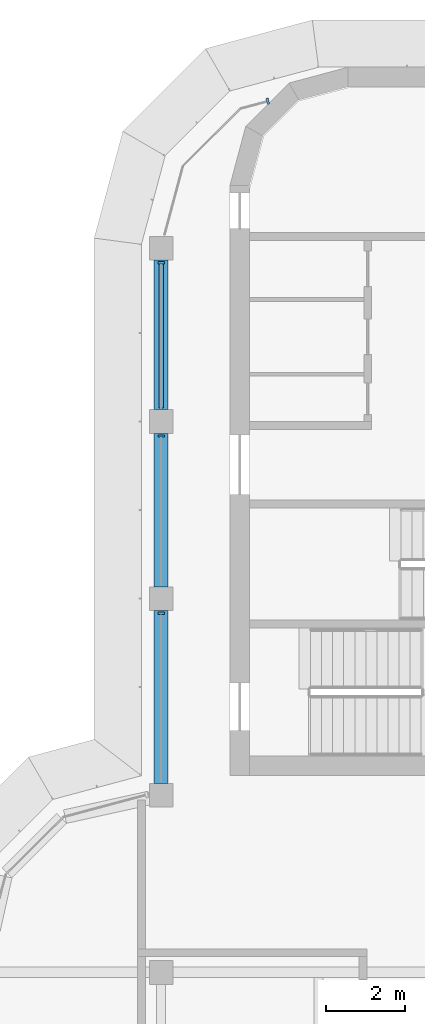
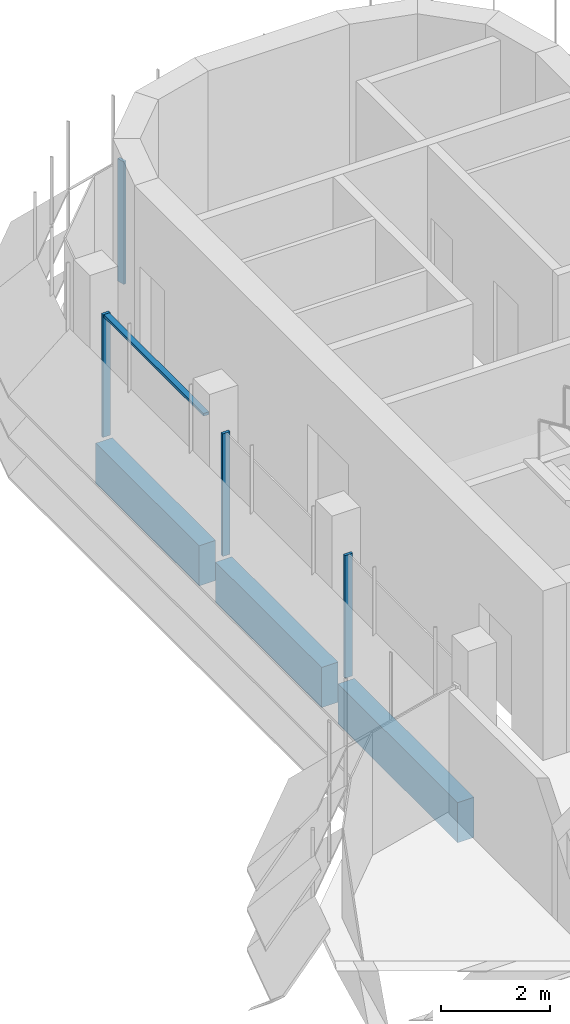
# One storey, part 7 of 19: 5 members, 3 beams, 2 elements without a shape of their own.
"""IFC4 building model written with IfcOpenShell, lengths in metres."""

from ifc_helpers import new_model, si_unit, direction, frame, origin, origin_2d, place, context, subcontext, project, spatial, polyline, rectangle, outline, extrude, source, transform, mapped, material, material_profile, profile_set, type_object, element, aggregate, save


model = new_model("IFC4")

# Units and contexts
model_context = context("Model", 3, precision=1e-05, world=origin(), true_north=direction((0.0, 1.0)))
body_context = subcontext(model_context, "Body", "Model", "MODEL_VIEW")
ifc_project = project(units=[si_unit("LENGTHUNIT", "METRE"), si_unit("AREAUNIT", "SQUARE_METRE"), si_unit("VOLUMEUNIT", "CUBIC_METRE"), si_unit("PLANEANGLEUNIT", "RADIAN"), si_unit("MASSUNIT", "GRAM", prefix="KILO")], contexts=[model_context])

# Site, building, storey
site_placement = place(None, origin())
site = spatial("IfcSite", under=ifc_project, at=site_placement, CompositionType="ELEMENT")
building_placement = place(site_placement, origin())
building = spatial("IfcBuilding", under=site, at=building_placement, Name="Zarbagh Exchange Tower", CompositionType="ELEMENT")
storey_placement = place(building_placement, frame((0.0, 0.0, 257.39990234375)))
storey = spatial("IfcBuildingStorey", under=building, at=storey_placement, Name="L63", CompositionType="ELEMENT", Elevation=257.39990234375)

# Beams
ifc_material_1 = material(Name="Concrete C40/50", Category="concrete")
ifc_material_profile = material_profile(ifc_material_1, rectangle(XDim=0.35009765625, YDim=0.89990234375, at=origin_2d()), Name="RC spandrel beam 350 x 900 C40/50")
ifc_profile_set = profile_set([ifc_material_profile], Name="Concrete C40/50")
beam_type = type_object("IfcBeamType", Name="RC spandrel beam 350 x 900 C40/50", PredefinedType="SPANDREL", material=ifc_profile_set)
beam_1_placement = place(storey_placement, frame((-6.25, 11.050048828125, -0.599853515625), z_axis=(0.0, 1.0, 0.0), x_axis=(-1.0, 0.0, 0.0)))
element("IfcBeam", 1, at=beam_1_placement, inside=storey, type_object=beam_type, Name="RC spandrel beam", PredefinedType="SPANDREL", context=body_context, shape_type="SweptSolid", body=[
    extrude(rectangle(XDim=0.35009765625, YDim=0.89990234375, at=origin_2d()), origin(), (0.0, 0.0, 1.0), 4.39990234375),
])
beam_2_placement = place(storey_placement, frame((-6.25, 16.050048828125, -0.599853515625), z_axis=(0.0, 1.0, 0.0), x_axis=(-1.0, 0.0, 0.0)))
element("IfcBeam", 2, at=beam_2_placement, inside=storey, type_object=beam_type, Name="RC spandrel beam", PredefinedType="SPANDREL", context=body_context, shape_type="SweptSolid", body=[
    extrude(rectangle(XDim=0.35009765625, YDim=0.89990234375, at=origin_2d()), origin(), (0.0, 0.0, 1.0), 3.89990234375),
])
beam_3_placement = place(storey_placement, frame((-6.25, 20.550048828125, -0.599853515625), z_axis=(0.0, 1.0, 0.0), x_axis=(-1.0, 0.0, 0.0)))
element("IfcBeam", 3, at=beam_3_placement, inside=storey, type_object=beam_type, Name="RC spandrel beam", PredefinedType="SPANDREL", context=body_context, shape_type="SweptSolid", body=[
    extrude(rectangle(XDim=0.35009765625, YDim=0.89990234375, at=origin_2d()), origin(), (0.0, 0.0, 1.0), 3.800048828125),
])

# Curtain wall, member
ifc_material_2 = material(Name="Anodised aluminium frame and glazing", Category="aluminium")
curtain_wall_type = type_object("IfcCurtainWallType", Name="CWB Ribbon glazing, upper zones", PredefinedType="NOTDEFINED", material=ifc_material_2)
curtain_wall_1_placement = place(storey_placement, origin())
curtain_wall_1 = element("IfcCurtainWall", 4, at=curtain_wall_1_placement, inside=storey, type_object=curtain_wall_type, Name="CWB70 curtain wall", PredefinedType="NOTDEFINED")
ifc_material_3 = material(Name="Anodised aluminium frame", Category="aluminium")
member_type_1 = type_object("IfcMemberType", Name="MUB Mullion, anodised aluminium frame", PredefinedType="MULLION", material=ifc_material_3)
shared_shape_1 = source(origin(), body_context, "Body", "SweptSolid", [
    extrude(outline(polyline([(0.0, -0.080078125), (0.06005859375, -0.080078125), (0.06005859375, 0.080078125), (0.0, 0.080078125), (0.0, -0.080078125)])), origin(), (0.0, 0.0, 1.0), 2.75),
])
placement = place(storey_placement, origin())
member_1 = element("IfcMember", 5, at=placement, type_object=member_type_1, Name="CWB70 mullion 1.1", PredefinedType="MULLION", context=body_context, shape_type="MappedRepresentation", body=[
    mapped(shared_shape_1, transform((-3.510009765625, 28.394775390625, 0.0), x_axis=(-0.965924289636, -0.258824779902, 0.0), y_axis=(0.258824779902, -0.965924289636, 0.0), z_axis=(0.0, 0.0, 1.0))),
])
aggregate(curtain_wall_1, [member_1])

# Curtain wall, members
curtain_wall_2_placement = place(storey_placement, origin())
curtain_wall_2 = element("IfcCurtainWall", 6, at=curtain_wall_2_placement, inside=storey, type_object=curtain_wall_type, Name="CWB73 curtain wall", PredefinedType="NOTDEFINED")
member_2 = element("IfcMember", 7, at=placement, type_object=member_type_1, Name="CWB73 mullion 1.1", PredefinedType="MULLION", context=body_context, shape_type="MappedRepresentation", body=[
    mapped(shared_shape_1, transform((-6.25, 24.31005859375, 0.0), x_axis=(0.0, -1.0, 0.0), y_axis=(1.0, 0.0, 0.0), z_axis=(0.0, 0.0, 1.0))),
])
member_3 = element("IfcMember", 8, at=placement, type_object=member_type_1, Name="CWB73 mullion 2.1", PredefinedType="MULLION", context=body_context, shape_type="MappedRepresentation", body=[
    mapped(shared_shape_1, transform((-6.25, 19.909912109375, 0.0), x_axis=(0.0, -1.0, 0.0), y_axis=(1.0, 0.0, 0.0), z_axis=(0.0, 0.0, 1.0))),
])
member_4 = element("IfcMember", 9, at=placement, type_object=member_type_1, Name="CWB73 mullion 3.1", PredefinedType="MULLION", context=body_context, shape_type="MappedRepresentation", body=[
    mapped(shared_shape_1, transform((-6.25, 15.409912109375, 0.0), x_axis=(0.0, -1.0, 0.0), y_axis=(1.0, 0.0, 0.0), z_axis=(0.0, 0.0, 1.0))),
])
member_type_2 = type_object("IfcMemberType", Name="TRB Transom, anodised aluminium frame", PredefinedType="USERDEFINED", material=ifc_material_3)
shared_shape_2 = source(origin(), body_context, "Body", "SweptSolid", [
    extrude(outline(polyline([(-0.06005859375, -0.06005859375), (0.0, -0.06005859375), (0.0, 0.06005859375), (-0.06005859375, 0.06005859375), (-0.06005859375, -0.06005859375)])), origin(), (0.0, 0.0, 1.0), 3.659912109375),
])
member_5 = element("IfcMember", 10, at=placement, type_object=member_type_2, Name="CWB73 transom 1.1", ObjectType="TRANSOM", PredefinedType="USERDEFINED", context=body_context, shape_type="MappedRepresentation", body=[
    mapped(shared_shape_2, transform((-6.25, 24.25, 2.75), x_axis=(0.0, 0.0, 1.0), y_axis=(-1.0, 0.0, 0.0), z_axis=(0.0, -1.0, 0.0))),
])
aggregate(curtain_wall_2, [member_2, member_5, member_3, member_4])

save(model, "model.ifc")
